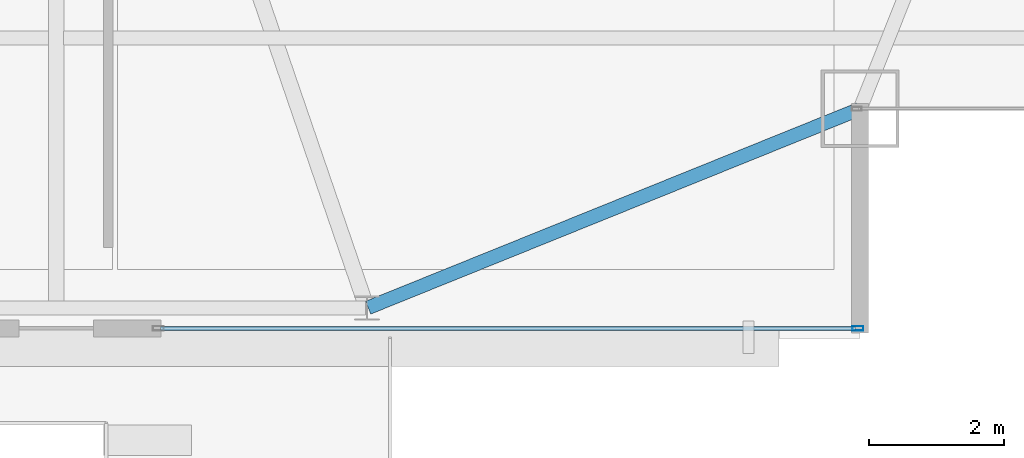
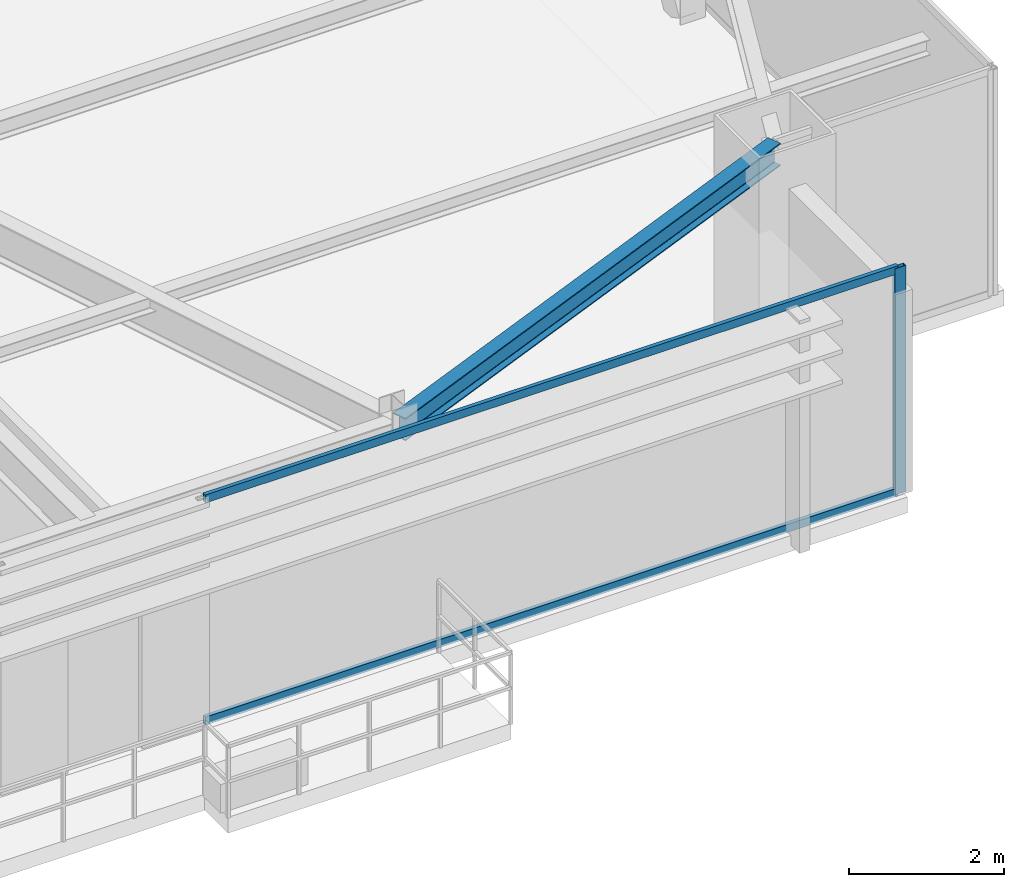
# One storey, part 13 of 31: 3 members, 1 beam, 1 element without a shape of its own.
"""IFC4 building model written with IfcOpenShell, lengths in metres."""

import ifcopenshell
import ifcopenshell.guid

model = None  # the IFC model being written
_history = None  # IfcOwnerHistory: only IFC2X3 demands one
_inside = {}  # id of a spatial element -> (the spatial element, [elements in it])
_under = {}  # id of a project, library or spatial element -> (it, [spatial elements below it])
_declared = {}  # id of a project -> (the project, [libraries it declares])
_typed = {}  # id of a type object -> (the type object, [elements of that type])
_made_of = {}  # id of a material, layer set ... -> (it, [elements and type objects made of it])


def new_model(schema):
    """Start an empty IFC model of exactly this schema.

    Asked for "IFC4X3", IfcOpenShell would pick the latest addendum, in which some entities
    have other attributes; the version numbers below select the first issue.
    IFC2X3 requires an IfcOwnerHistory on every rooted entity: one is made here for all.
    """
    global model, _history
    if schema == "IFC4X3":
        model = ifcopenshell.file(schema_version=(4, 3, 0, 0))
    else:
        model = ifcopenshell.file(schema=schema)
    _inside.clear()
    _under.clear()
    _declared.clear()
    _typed.clear()
    _made_of.clear()
    _history = None
    if model.schema == "IFC2X3":
        org = make("IfcOrganization", Name="unknown")
        user = make(
            "IfcPersonAndOrganization",
            ThePerson=make("IfcPerson", FamilyName="unknown"),
            TheOrganization=org,
        )
        app = make(
            "IfcApplication",
            ApplicationDeveloper=org,
            Version="unknown",
            ApplicationFullName="unknown",
            ApplicationIdentifier="unknown",
        )
        _history = make(
            "IfcOwnerHistory",
            OwningUser=user,
            OwningApplication=app,
            ChangeAction="ADDED",
            CreationDate=0,
        )
    return model


def make(cls, **values):
    """One entity of the class cls with the attributes given. An attribute that is None is left unset."""
    return model.create_entity(
        cls, **{name: value for name, value in values.items() if value is not None}
    )


def rooted(cls, **values):
    """An entity with a GlobalId (a new one), such as an element, a storey or a relation."""
    return make(cls, GlobalId=ifcopenshell.guid.new(), OwnerHistory=_history, **values)


def si_unit(unit_type, name, prefix=None):
    """IfcSIUnit, for example si_unit("LENGTHUNIT", "METRE", prefix="MILLI")."""
    return make("IfcSIUnit", UnitType=unit_type, Prefix=prefix, Name=name)


def assignment(units):
    """IfcUnitAssignment: the units of a project."""
    return None if units is None else make("IfcUnitAssignment", Units=units)


def point(xyz):
    """IfcCartesianPoint."""
    return None if xyz is None else make("IfcCartesianPoint", Coordinates=xyz)


def direction(xyz):
    """IfcDirection."""
    return None if xyz is None else make("IfcDirection", DirectionRatios=xyz)


def frame(location, z_axis=None, x_axis=None):
    """IfcAxis2Placement3D, a coordinate frame: its origin and axes. An axis left out is left unset."""
    return make(
        "IfcAxis2Placement3D",
        Location=point(location),
        Axis=direction(z_axis),
        RefDirection=direction(x_axis),
    )


def frame_2d(location, x_axis=None):
    """IfcAxis2Placement2D, a coordinate frame in the plane: its origin and x axis."""
    return make(
        "IfcAxis2Placement2D", Location=point(location), RefDirection=direction(x_axis)
    )


def origin():
    """The frame at (0, 0, 0) with its axes left unset."""
    return frame((0.0, 0.0, 0.0))


def origin_2d():
    """The frame at (0, 0) in the plane with its x axis left unset."""
    return frame_2d((0.0, 0.0))


def place(relative_to, where):
    """IfcLocalPlacement: puts the frame where relative to a parent placement (None: the world)."""
    return make(
        "IfcLocalPlacement", PlacementRelTo=relative_to, RelativePlacement=where
    )


def context(
    kind, dimensions, precision=None, world=None, true_north=None, identifier=None
):
    """IfcGeometricRepresentationContext, for example the 3D "Model" context."""
    return make(
        "IfcGeometricRepresentationContext",
        ContextIdentifier=identifier,
        ContextType=kind,
        CoordinateSpaceDimension=dimensions,
        Precision=precision,
        WorldCoordinateSystem=world,
        TrueNorth=true_north,
    )


def subcontext(parent, identifier, kind, view, scale=None):
    """IfcGeometricRepresentationSubContext, for example "Body" below "Model"."""
    return make(
        "IfcGeometricRepresentationSubContext",
        ContextIdentifier=identifier,
        ContextType=kind,
        ParentContext=parent,
        TargetScale=scale,
        TargetView=view,
    )


def project(units=None, contexts=None):
    """IfcProject with its units and contexts."""
    return rooted(
        "IfcProject",
        Name="project",
        RepresentationContexts=contexts,
        UnitsInContext=assignment(units),
    )


def spatial(cls, under=None, at=None, **own):
    """A site, building, storey or space (cls), placed at a placement, below another one or the project."""
    s = rooted(cls, ObjectPlacement=at, **own)
    if under is not None:
        _under.setdefault(under.id(), (under, []))[1].append(s)
    return s


def profile(cls, at=None, kind="AREA", **sizes):
    """A parametric profile (cls). Its sizes go by their IFC names, for example OverallWidth=200.0."""
    return make(cls, ProfileType=kind, Position=at, **sizes)


def hollow_rectangle(**sizes):
    """IfcRectangleHollowProfileDef."""
    return profile("IfcRectangleHollowProfileDef", **sizes)


def i_section(**sizes):
    """IfcIShapeProfileDef."""
    return profile("IfcIShapeProfileDef", **sizes)


def extrude(swept, where, along, depth):
    """IfcExtrudedAreaSolid: the profile swept, set in the frame where, extruded along a direction by depth."""
    return make(
        "IfcExtrudedAreaSolid",
        SweptArea=swept,
        Position=where,
        ExtrudedDirection=direction(along),
        Depth=depth,
    )


def shape(context_of_items, identifier, shape_type, items):
    """IfcShapeRepresentation: the items that make up one representation, for example the "Body"."""
    return make(
        "IfcShapeRepresentation",
        ContextOfItems=context_of_items,
        RepresentationIdentifier=identifier,
        RepresentationType=shape_type,
        Items=items,
    )


def source(mapping_origin, context_of_items, identifier, shape_type, items):
    """IfcRepresentationMap: a shape defined once, which mapped items show again and again."""
    return make(
        "IfcRepresentationMap",
        MappingOrigin=mapping_origin,
        MappedRepresentation=shape(context_of_items, identifier, shape_type, items),
    )


def transform(
    local_origin,
    x_axis=None,
    y_axis=None,
    z_axis=None,
    scale=None,
    scale2=None,
    scale3=None,
    uniform=True,
):
    """IfcCartesianTransformationOperator3D, or its non-uniform kind. x_axis, y_axis, z_axis: its Axis1, 2, 3."""
    if uniform:
        return make(
            "IfcCartesianTransformationOperator3D",
            Axis1=direction(x_axis),
            Axis2=direction(y_axis),
            LocalOrigin=point(local_origin),
            Scale=scale,
            Axis3=direction(z_axis),
        )
    return make(
        "IfcCartesianTransformationOperator3DnonUniform",
        Axis1=direction(x_axis),
        Axis2=direction(y_axis),
        LocalOrigin=point(local_origin),
        Scale=scale,
        Axis3=direction(z_axis),
        Scale2=scale2,
        Scale3=scale3,
    )


def mapped(mapping_source, mapping_target):
    """IfcMappedItem: shows the shape of a source again, moved by a transform."""
    return make(
        "IfcMappedItem", MappingSource=mapping_source, MappingTarget=mapping_target
    )


def material(Name=None, Category=None):
    """IfcMaterial."""
    return make("IfcMaterial", Name=Name, Category=Category)


def layer(
    of_material, thickness, ventilated=None, Name=None, Category=None, Priority=None
):
    """IfcMaterialLayer: one layer of a wall or slab, of a material (None: an air gap)."""
    return make(
        "IfcMaterialLayer",
        Material=of_material,
        LayerThickness=thickness,
        IsVentilated=ventilated,
        Name=Name,
        Category=Category,
        Priority=Priority,
    )


def layer_set(layers, Name=None):
    """IfcMaterialLayerSet."""
    return make("IfcMaterialLayerSet", MaterialLayers=layers, LayerSetName=Name)


def material_profile(
    of_material, cross_section, Name=None, Category=None, Priority=None
):
    """IfcMaterialProfile: a cross section and its material."""
    return make(
        "IfcMaterialProfile",
        Name=Name,
        Material=of_material,
        Profile=cross_section,
        Priority=Priority,
        Category=Category,
    )


def profile_set(profiles, Name=None, composite=None):
    """IfcMaterialProfileSet."""
    return make(
        "IfcMaterialProfileSet",
        Name=Name,
        MaterialProfiles=profiles,
        CompositeProfile=composite,
    )


def made_of(thing, what):
    """Note that an element or type object is made of a material, layer set ...; save() writes the relation."""
    if what is not None:
        _made_of.setdefault(what.id(), (what, []))[1].append(thing)
    return thing


def type_object(cls, material=None, **own):
    """A type object (cls), such as IfcWallType, which elements share."""
    return made_of(rooted(cls, **own), material)


def type_shapes(of_type, sources):
    """Give a type object the sources (RepresentationMaps) that its elements show as mapped items."""
    of_type.RepresentationMaps = sources


def element(
    cls,
    number,
    at=None,
    inside=None,
    cuts=None,
    type_object=None,
    material=None,
    context=None,
    identifier="Body",
    shape_type=None,
    held_by="IfcProductDefinitionShape",
    body=None,
    shapes=None,
    **own,
):
    """One element of the class cls, such as IfcWall. Its Tag is "e" and its number.

    at: its placement. inside: the storey or other place that contains it. cuts: it is an
    opening in that element (IfcRelVoidsElement). A single representation is given by context,
    identifier, shape_type and body (its items); several are given by shapes. held_by: the class
    of the entity that holds the representations. save() writes the other relations.
    """
    e = rooted(cls, Tag="e%d" % number, ObjectPlacement=at, **own)
    if body is not None:
        shapes = [shape(context, identifier, shape_type, body)]
    if shapes is not None:
        e.Representation = make(held_by, Representations=shapes)
    if inside is not None:
        _inside.setdefault(inside.id(), (inside, []))[1].append(e)
    if cuts is not None:
        rooted(
            "IfcRelVoidsElement", RelatingBuildingElement=cuts, RelatedOpeningElement=e
        )
    if type_object is not None:
        _typed.setdefault(type_object.id(), (type_object, []))[1].append(e)
    return made_of(e, material)


def aggregate(whole, parts):
    """IfcRelAggregates: a whole, such as a stair, and the parts it consists of."""
    return rooted("IfcRelAggregates", RelatingObject=whole, RelatedObjects=parts)


def save(model, path):
    """Write the relations noted so far, then the file.

    IfcRelAggregates (storeys below a building ...), IfcRelContainedInSpatialStructure (elements
    in a storey), IfcRelDefinesByType, IfcRelAssociatesMaterial and IfcRelDeclares: one each for
    every whole, place, type object, material and project.
    """
    for whole, parts in _under.values():
        aggregate(whole, parts)
    for where, things in _inside.values():
        rooted(
            "IfcRelContainedInSpatialStructure",
            RelatedElements=things,
            RelatingStructure=where,
        )
    for kind, things in _typed.values():
        rooted("IfcRelDefinesByType", RelatedObjects=things, RelatingType=kind)
    for what, things in _made_of.values():
        rooted("IfcRelAssociatesMaterial", RelatedObjects=things, RelatingMaterial=what)
    for by, libraries in _declared.values():
        rooted("IfcRelDeclares", RelatingContext=by, RelatedDefinitions=libraries)
    model.write(path)


model = new_model("IFC4")

# Units and contexts
model_context = context("Model", 3, precision=1e-05, world=origin(), true_north=direction((0.0, 1.0)))
body_context = subcontext(model_context, "Body", "Model", "MODEL_VIEW")
ifc_project = project(units=[si_unit("LENGTHUNIT", "METRE"), si_unit("AREAUNIT", "SQUARE_METRE"), si_unit("VOLUMEUNIT", "CUBIC_METRE"), si_unit("PLANEANGLEUNIT", "RADIAN"), si_unit("MASSUNIT", "GRAM", prefix="KILO")], contexts=[model_context])

# Site, building, storey
site_placement = place(None, origin())
site = spatial("IfcSite", under=ifc_project, at=site_placement, CompositionType="ELEMENT")
building_placement = place(site_placement, origin())
building = spatial("IfcBuilding", under=site, at=building_placement, Name="Varnel Quay Broadcast Tower", CompositionType="ELEMENT")
storey_placement = place(building_placement, frame((0.0, 0.0, 239.39990234375)))
storey = spatial("IfcBuildingStorey", under=building, at=storey_placement, Name="L59", CompositionType="ELEMENT", Elevation=239.39990234375)

# Beam
ifc_material_1 = material(Name="Structural Steel CSA G40.21 350W", Category="steel")
ifc_material_profile_1 = material_profile(ifc_material_1, i_section(OverallWidth=0.205078125, OverallDepth=0.35400390625, WebThickness=0.009521484375, FlangeThickness=0.016845703125, FilletRadius=0.012939453125, at=origin_2d()), Name="W360X79")
ifc_profile_set_1 = profile_set([ifc_material_profile_1], Name="Structural Steel CSA G40.21 350W")
beam_type = type_object("IfcBeamType", Name="Beam_W360X79", PredefinedType="SPANDREL", material=ifc_profile_set_1)
shared_shape_1 = source(origin(), body_context, "Body", "SweptSolid", [
    extrude(i_section(OverallWidth=0.205078125, OverallDepth=0.35400390625, WebThickness=0.009521484375, FlangeThickness=0.016845703125, FilletRadius=0.012939453125, at=origin_2d()), origin(), (0.0, 0.0, 1.0), 7.83349609375),
])
type_shapes(beam_type, [shared_shape_1])
beam_placement = place(storey_placement, frame((47.818603515625, 10.657470703125, 3.373046875), z_axis=(0.927155449606, 0.374676890489, 0.0), x_axis=(-0.374676890489, 0.927155449606, 0.0)))
element("IfcBeam", 1, at=beam_placement, inside=storey, type_object=beam_type, Name="L59 South Spandrel TC-S4-MC-SE", PredefinedType="SPANDREL", context=body_context, shape_type="MappedRepresentation", body=[
    mapped(shared_shape_1, transform((0.0, 0.0, 0.0), x_axis=(1.0, 0.0, 0.0), y_axis=(0.0, 1.0, 0.0), z_axis=(0.0, 0.0, 1.0), scale=1.0)),
])

# Curtain wall, members
ifc_material_2 = material(Name="Anodised Bronze Aluminium 6063-T6", Category="aluminium")
ifc_layer = layer(ifc_material_2, 0.18994140625, Name="Anodised Bronze Aluminium 6063-T6")
ifc_layer_set = layer_set([ifc_layer], Name="Anodised Bronze Aluminium 6063-T6")
curtain_wall_type = type_object("IfcCurtainWallType", Name="CW_UpperTower", PredefinedType="NOTDEFINED", material=ifc_layer_set)
curtain_wall_placement = place(storey_placement, origin())
curtain_wall = element("IfcCurtainWall", 2, at=curtain_wall_placement, inside=storey, type_object=curtain_wall_type, Name="L59 South Unitised Curtain Wall 3", PredefinedType="NOTDEFINED")
ifc_material_profile_2 = material_profile(ifc_material_2, hollow_rectangle(XDim=0.06494140625, YDim=0.1650390625, WallThickness=0.00341796875, at=origin_2d()), Name="ALU65X165X3.5")
ifc_profile_set_2 = profile_set([ifc_material_profile_2], Name="Anodised Bronze Aluminium 6063-T6")
member_type_1 = type_object("IfcMemberType", Name="Mull_CWS-03", PredefinedType="MULLION", material=ifc_profile_set_2)
shared_shape_2 = source(origin(), body_context, "Body", "SweptSolid", [
    extrude(hollow_rectangle(XDim=0.06494140625, YDim=0.1650390625, WallThickness=0.00341796875, at=origin_2d()), origin(), (0.0, 0.0, 1.0), 3.550048828125),
])
type_shapes(member_type_1, [shared_shape_2])
member_1_placement = place(storey_placement, frame((55.0673828125, 10.35009765625, 0.0), z_axis=(0.0, 0.0, 1.0), x_axis=(0.0, 1.0, 0.0)))
member_1 = element("IfcMember", 3, at=member_1_placement, type_object=member_type_1, Name="CWS-03 mullion 2", PredefinedType="MULLION", context=body_context, shape_type="MappedRepresentation", body=[
    mapped(shared_shape_2, transform((0.0, 0.0, 0.0), x_axis=(1.0, 0.0, 0.0), y_axis=(0.0, 1.0, 0.0), z_axis=(0.0, 0.0, 1.0), scale=1.0)),
])
ifc_material_profile_3 = material_profile(ifc_material_2, hollow_rectangle(XDim=0.06005859375, YDim=0.125, WallThickness=0.0029296875, at=origin_2d()), Name="ALU60X125X3")
ifc_profile_set_3 = profile_set([ifc_material_profile_3], Name="Anodised Bronze Aluminium 6063-T6")
member_type_2 = type_object("IfcMemberType", Name="Tran_CWS-03", PredefinedType="USERDEFINED", material=ifc_profile_set_3)
shared_shape_3 = source(origin(), body_context, "Body", "SweptSolid", [
    extrude(hollow_rectangle(XDim=0.06005859375, YDim=0.125, WallThickness=0.0029296875, at=origin_2d()), origin(), (0.0, 0.0, 1.0), 10.289794921875),
])
type_shapes(member_type_2, [shared_shape_3])
member_2_placement = place(storey_placement, frame((44.7451171875, 10.35009765625, 0.030029296875), z_axis=(1.0, 0.0, 0.0), x_axis=(0.0, 1.0, 0.0)))
member_2 = element("IfcMember", 4, at=member_2_placement, type_object=member_type_2, Name="CWS-03 transom 1.1", ObjectType="TRANSOM", PredefinedType="USERDEFINED", context=body_context, shape_type="MappedRepresentation", body=[
    mapped(shared_shape_3, transform((0.0, 0.0, 0.0), x_axis=(1.0, 0.0, 0.0), y_axis=(0.0, 1.0, 0.0), z_axis=(0.0, 0.0, 1.0), scale=1.0)),
])
member_3_placement = place(storey_placement, frame((44.7451171875, 10.35009765625, 3.52001953125), z_axis=(1.0, 0.0, 0.0), x_axis=(0.0, 1.0, 0.0)))
member_3 = element("IfcMember", 5, at=member_3_placement, type_object=member_type_2, Name="CWS-03 transom 1.2", ObjectType="TRANSOM", PredefinedType="USERDEFINED", context=body_context, shape_type="MappedRepresentation", body=[
    mapped(shared_shape_3, transform((0.0, 0.0, 0.0), x_axis=(1.0, 0.0, 0.0), y_axis=(0.0, 1.0, 0.0), z_axis=(0.0, 0.0, 1.0), scale=1.0)),
])
aggregate(curtain_wall, [member_1, member_2, member_3])

save(model, "model.ifc")
